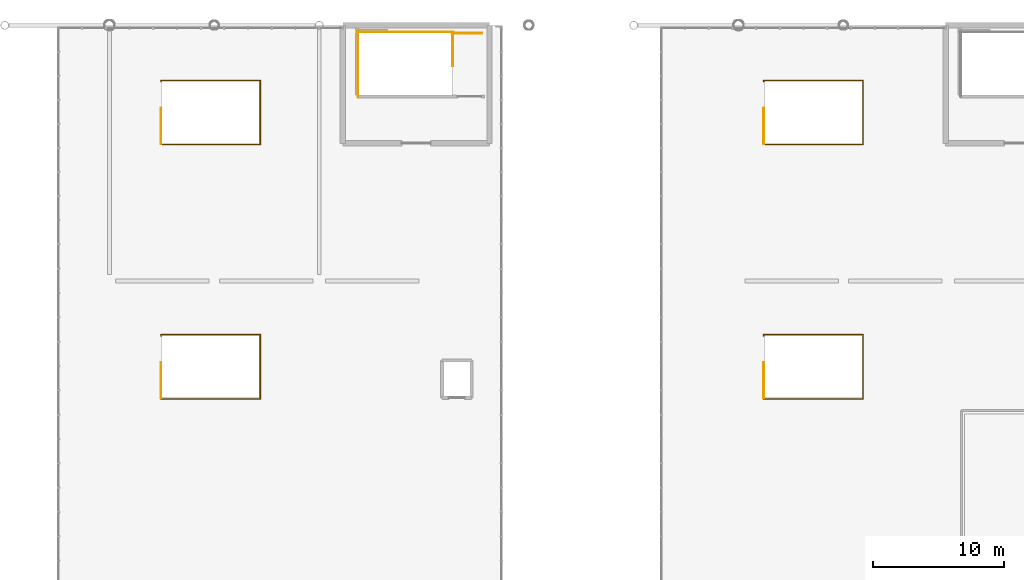
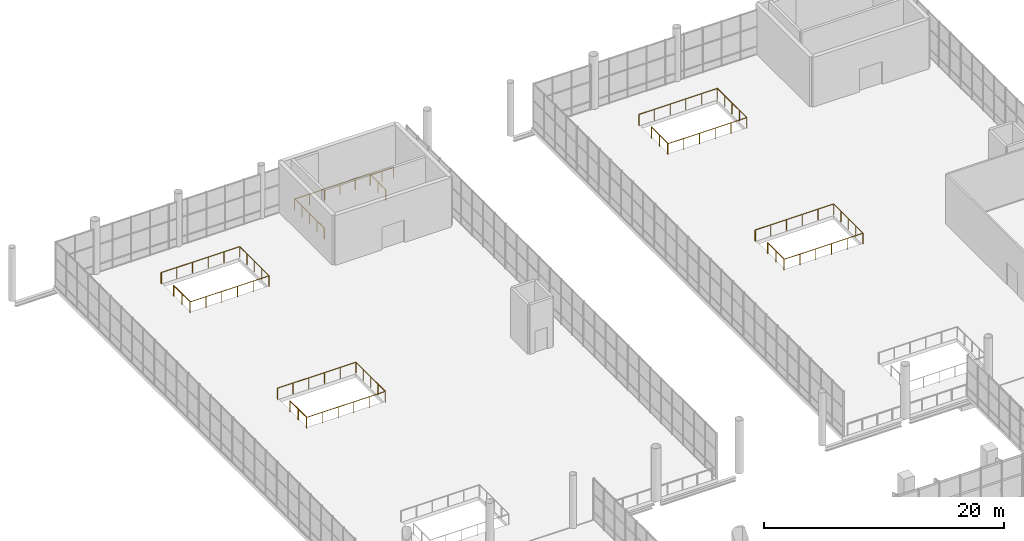
# One storey, part 175 of 176: 12 railings.
"""IFC4 building model written with IfcOpenShell, lengths in metres."""

from ifc_helpers import new_model, si_unit, direction, frame, origin, origin_2d, place, context, subcontext, project, spatial, rectangle, extrude, material, type_object, element, save


model = new_model("IFC4")

# Units and contexts
model_context = context("Model", 3, precision=1e-05, world=origin(), true_north=direction((0.0, 1.0)))
body_context = subcontext(model_context, "Body", "Model", "MODEL_VIEW")
ifc_project = project(units=[si_unit("LENGTHUNIT", "METRE"), si_unit("AREAUNIT", "SQUARE_METRE"), si_unit("VOLUMEUNIT", "CUBIC_METRE"), si_unit("PLANEANGLEUNIT", "RADIAN"), si_unit("MASSUNIT", "GRAM", prefix="KILO")], contexts=[model_context])

# Site, building, storey
site_placement = place(None, origin())
site = spatial("IfcSite", under=ifc_project, at=site_placement, CompositionType="ELEMENT")
building_placement = place(site_placement, origin())
building = spatial("IfcBuilding", under=site, at=building_placement, Name="Khorjan Park Terminus", CompositionType="ELEMENT")
storey_placement = place(building_placement, frame((0.0, 0.0, 6.0)))
storey = spatial("IfcBuildingStorey", under=building, at=storey_placement, Name="L01", CompositionType="ELEMENT", Elevation=6.0)

# Railings
ifc_material_1 = material(Name="Steel S355", Category="steel")
railing_type_1 = type_object("IfcRailingType", Name="GR-112", PredefinedType="GUARDRAIL", material=ifc_material_1)
railing_1_placement = place(storey_placement, frame((82.19, 153.45, 0.0)))
element("IfcRailing", 1, at=railing_1_placement, inside=storey, type_object=railing_type_1, Name="L01 ST-06 top well guard 1", PredefinedType="GUARDRAIL", context=body_context, shape_type="SweptSolid", body=[
    extrude(rectangle(XDim=0.048, YDim=0.048, at=origin_2d()), frame((0.0, 0.0, 1.096), z_axis=(0.0, -1.0, 0.0), x_axis=(1.0, 0.0, 0.0)), (0.0, 0.0, 1.0), 2.56),
    extrude(rectangle(XDim=0.042, YDim=0.042, at=origin_2d()), origin(), (0.0, 0.0, 1.0), 1.072),
    extrude(rectangle(XDim=0.042, YDim=0.042, at=origin_2d()), frame((0.0, -1.28, 0.0)), (0.0, 0.0, 1.0), 1.072),
    extrude(rectangle(XDim=0.042, YDim=0.042, at=origin_2d()), frame((0.0, -2.56, 0.0)), (0.0, 0.0, 1.0), 1.072),
])
railing_2_placement = place(storey_placement, frame((82.24, 153.5, 0.0)))
element("IfcRailing", 2, at=railing_2_placement, inside=storey, type_object=railing_type_1, Name="L01 ST-06 top well guard 2", PredefinedType="GUARDRAIL", context=body_context, shape_type="SweptSolid", body=[
    extrude(rectangle(XDim=0.048, YDim=0.048, at=origin_2d()), frame((0.0, 0.0, 1.096), z_axis=(-1.0, 0.0, 0.0), x_axis=(0.0, -1.0, 0.0)), (0.0, 0.0, 1.0), 7.34),
    extrude(rectangle(XDim=0.042, YDim=0.042, at=origin_2d()), origin(), (0.0, 0.0, 1.0), 1.072),
    extrude(rectangle(XDim=0.042, YDim=0.042, at=origin_2d()), frame((-1.468, 0.0, 0.0)), (0.0, 0.0, 1.0), 1.072),
    extrude(rectangle(XDim=0.042, YDim=0.042, at=origin_2d()), frame((-2.936, 0.0, 0.0)), (0.0, 0.0, 1.0), 1.072),
    extrude(rectangle(XDim=0.042, YDim=0.042, at=origin_2d()), frame((-4.404, 0.0, 0.0)), (0.0, 0.0, 1.0), 1.072),
    extrude(rectangle(XDim=0.042, YDim=0.042, at=origin_2d()), frame((-5.872, 0.0, 0.0)), (0.0, 0.0, 1.0), 1.072),
    extrude(rectangle(XDim=0.042, YDim=0.042, at=origin_2d()), frame((-7.34, 0.0, 0.0)), (0.0, 0.0, 1.0), 1.072),
])
railing_3_placement = place(storey_placement, frame((74.95, 153.55, 0.0)))
element("IfcRailing", 3, at=railing_3_placement, inside=storey, type_object=railing_type_1, Name="L01 ST-06 top well guard 3", PredefinedType="GUARDRAIL", context=body_context, shape_type="SweptSolid", body=[
    extrude(rectangle(XDim=0.048, YDim=0.048, at=origin_2d()), frame((0.0, 0.0, 1.096), z_axis=(0.0, -1.0, 0.0), x_axis=(1.0, 0.0, 0.0)), (0.0, 0.0, 1.0), 4.96),
    extrude(rectangle(XDim=0.042, YDim=0.042, at=origin_2d()), origin(), (0.0, 0.0, 1.0), 1.072),
    extrude(rectangle(XDim=0.042, YDim=0.042, at=origin_2d()), frame((0.0, -1.24, 0.0)), (0.0, 0.0, 1.0), 1.072),
    extrude(rectangle(XDim=0.042, YDim=0.042, at=origin_2d()), frame((0.0, -2.48, 0.0)), (0.0, 0.0, 1.0), 1.072),
    extrude(rectangle(XDim=0.042, YDim=0.042, at=origin_2d()), frame((0.0, -3.72, 0.0)), (0.0, 0.0, 1.0), 1.072),
    extrude(rectangle(XDim=0.042, YDim=0.042, at=origin_2d()), frame((0.0, -4.96, 0.0)), (0.0, 0.0, 1.0), 1.072),
])
railing_4_placement = place(storey_placement, frame((84.4, 153.4, 0.0)))
element("IfcRailing", 4, at=railing_4_placement, inside=storey, type_object=railing_type_1, Name="L01 ST-06 top well guard 4", PredefinedType="GUARDRAIL", context=body_context, shape_type="SweptSolid", body=[
    extrude(rectangle(XDim=0.048, YDim=0.048, at=origin_2d()), frame((0.0, 0.0, 1.096), z_axis=(-1.0, 0.0, 0.0), x_axis=(0.0, -1.0, 0.0)), (0.0, 0.0, 1.0), 2.26),
    extrude(rectangle(XDim=0.042, YDim=0.042, at=origin_2d()), origin(), (0.0, 0.0, 1.0), 1.072),
    extrude(rectangle(XDim=0.042, YDim=0.042, at=origin_2d()), frame((-1.13, 0.0, 0.0)), (0.0, 0.0, 1.0), 1.072),
    extrude(rectangle(XDim=0.042, YDim=0.042, at=origin_2d()), frame((-2.26, 0.0, 0.0)), (0.0, 0.0, 1.0), 1.072),
])
for number, where, name in (
    (5, (59.92, 125.55, 0.0), "Stair PS-03 top-floor well departure guard GR-112"),
    (6, (105.92, 125.55, 0.0), "Stair PS-04 top-floor well departure guard GR-112"),
    (7, (59.92, 144.95, 0.0), "Stair PS-05 top-floor well departure guard GR-112"),
    (8, (105.92, 144.95, 0.0), "Stair PS-06 top-floor well departure guard GR-112"),
):
    element("IfcRailing", number, at=place(storey_placement, frame(where)), inside=storey, type_object=railing_type_1, Name=name, PredefinedType="GUARDRAIL", context=body_context, shape_type="SweptSolid", body=[
        extrude(rectangle(XDim=0.048, YDim=0.048, at=origin_2d()), frame((0.0, 0.0, 1.096), z_axis=(0.0, 1.0, 0.0), x_axis=(-1.0, 0.0, 0.0)), (0.0, 0.0, 1.0), 2.73),
        extrude(rectangle(XDim=0.042, YDim=0.042, at=origin_2d()), origin(), (0.0, 0.0, 1.0), 1.072),
        extrude(rectangle(XDim=0.042, YDim=0.042, at=origin_2d()), frame((0.0, 1.365, 0.0)), (0.0, 0.0, 1.0), 1.072),
        extrude(rectangle(XDim=0.042, YDim=0.042, at=origin_2d()), frame((0.0, 2.73, 0.0)), (0.0, 0.0, 1.0), 1.072),
    ])
ifc_material_2 = material(Name="Anodized Bronze Aluminium & Laminated Glass", Category="aluminium")
railing_type_2 = type_object("IfcRailingType", Name="GR-BAL", PredefinedType="BALUSTRADE", material=ifc_material_2)
railing_5_placement = place(storey_placement, frame((105.915, 147.64, 0.0)))
element("IfcRailing", 9, at=railing_5_placement, inside=storey, type_object=railing_type_2, Name="Perimeter safety guard GB-112 (L01-50)", PredefinedType="BALUSTRADE", context=body_context, shape_type="SweptSolid", body=[
    extrude(rectangle(XDim=0.048, YDim=0.048, at=origin_2d()), frame((0.0, 0.0, 1.096), z_axis=(0.0, -1.0, 0.0), x_axis=(1.0, 0.0, 0.0)), (0.0, 0.0, 1.0), 2.74),
    extrude(rectangle(XDim=0.048, YDim=0.048, at=origin_2d()), frame((0.0, -2.74, 1.096), z_axis=(1.0, 0.0, 0.0), x_axis=(0.0, 1.0, 0.0)), (0.0, 0.0, 1.0), 7.585),
    extrude(rectangle(XDim=0.048, YDim=0.048, at=origin_2d()), frame((7.585, -2.74, 1.096), z_axis=(0.0, 1.0, 0.0), x_axis=(-1.0, 0.0, 0.0)), (0.0, 0.0, 1.0), 4.9),
    extrude(rectangle(XDim=0.048, YDim=0.048, at=origin_2d()), frame((7.585, 2.16, 1.096), z_axis=(-1.0, 0.0, 0.0), x_axis=(0.0, -1.0, 0.0)), (0.0, 0.0, 1.0), 7.585),
    extrude(rectangle(XDim=0.048, YDim=0.048, at=origin_2d()), frame((0.0, 2.16, 1.096), z_axis=(0.0, -1.0, 0.0), x_axis=(1.0, 0.0, 0.0)), (0.0, 0.0, 1.0), 0.1),
    extrude(rectangle(XDim=0.042, YDim=0.042, at=origin_2d()), origin(), (0.0, 0.0, 1.0), 1.072),
    extrude(rectangle(XDim=0.042, YDim=0.042, at=origin_2d()), frame((0.0, -1.37, 0.0)), (0.0, 0.0, 1.0), 1.072),
    extrude(rectangle(XDim=0.042, YDim=0.042, at=origin_2d()), frame((0.0, -2.74, 0.0)), (0.0, 0.0, 1.0), 1.072),
    extrude(rectangle(XDim=0.042, YDim=0.042, at=origin_2d()), frame((1.517, -2.74, 0.0)), (0.0, 0.0, 1.0), 1.072),
    extrude(rectangle(XDim=0.042, YDim=0.042, at=origin_2d()), frame((3.034, -2.74, 0.0)), (0.0, 0.0, 1.0), 1.072),
    extrude(rectangle(XDim=0.042, YDim=0.042, at=origin_2d()), frame((4.551, -2.74, 0.0)), (0.0, 0.0, 1.0), 1.072),
    extrude(rectangle(XDim=0.042, YDim=0.042, at=origin_2d()), frame((6.068, -2.74, 0.0)), (0.0, 0.0, 1.0), 1.072),
    extrude(rectangle(XDim=0.042, YDim=0.042, at=origin_2d()), frame((7.585, -2.74, 0.0)), (0.0, 0.0, 1.0), 1.072),
    extrude(rectangle(XDim=0.042, YDim=0.042, at=origin_2d()), frame((7.585, -1.515, 0.0)), (0.0, 0.0, 1.0), 1.072),
    extrude(rectangle(XDim=0.042, YDim=0.042, at=origin_2d()), frame((7.585, -0.29, 0.0)), (0.0, 0.0, 1.0), 1.072),
    extrude(rectangle(XDim=0.042, YDim=0.042, at=origin_2d()), frame((7.585, 0.935, 0.0)), (0.0, 0.0, 1.0), 1.072),
    extrude(rectangle(XDim=0.042, YDim=0.042, at=origin_2d()), frame((7.585, 2.16, 0.0)), (0.0, 0.0, 1.0), 1.072),
    extrude(rectangle(XDim=0.042, YDim=0.042, at=origin_2d()), frame((6.068, 2.16, 0.0)), (0.0, 0.0, 1.0), 1.072),
    extrude(rectangle(XDim=0.042, YDim=0.042, at=origin_2d()), frame((4.551, 2.16, 0.0)), (0.0, 0.0, 1.0), 1.072),
    extrude(rectangle(XDim=0.042, YDim=0.042, at=origin_2d()), frame((3.034, 2.16, 0.0)), (0.0, 0.0, 1.0), 1.072),
    extrude(rectangle(XDim=0.042, YDim=0.042, at=origin_2d()), frame((1.517, 2.16, 0.0)), (0.0, 0.0, 1.0), 1.072),
    extrude(rectangle(XDim=0.042, YDim=0.042, at=origin_2d()), frame((0.0, 2.16, 0.0)), (0.0, 0.0, 1.0), 1.072),
    extrude(rectangle(XDim=0.042, YDim=0.042, at=origin_2d()), frame((0.0, 2.06, 0.0)), (0.0, 0.0, 1.0), 1.072),
])
railing_6_placement = place(storey_placement, frame((59.915, 128.24, 0.0)))
element("IfcRailing", 10, at=railing_6_placement, inside=storey, type_object=railing_type_2, Name="Perimeter safety guard GB-112 (L01-56)", PredefinedType="BALUSTRADE", context=body_context, shape_type="SweptSolid", body=[
    extrude(rectangle(XDim=0.048, YDim=0.048, at=origin_2d()), frame((0.0, 0.0, 1.096), z_axis=(0.0, -1.0, 0.0), x_axis=(1.0, 0.0, 0.0)), (0.0, 0.0, 1.0), 2.74),
    extrude(rectangle(XDim=0.048, YDim=0.048, at=origin_2d()), frame((0.0, -2.74, 1.096), z_axis=(1.0, 0.0, 0.0), x_axis=(0.0, 1.0, 0.0)), (0.0, 0.0, 1.0), 7.585),
    extrude(rectangle(XDim=0.048, YDim=0.048, at=origin_2d()), frame((7.585, -2.74, 1.096), z_axis=(0.0, 1.0, 0.0), x_axis=(-1.0, 0.0, 0.0)), (0.0, 0.0, 1.0), 4.9),
    extrude(rectangle(XDim=0.048, YDim=0.048, at=origin_2d()), frame((7.585, 2.16, 1.096), z_axis=(-1.0, 0.0, 0.0), x_axis=(0.0, -1.0, 0.0)), (0.0, 0.0, 1.0), 7.585),
    extrude(rectangle(XDim=0.048, YDim=0.048, at=origin_2d()), frame((0.0, 2.16, 1.096), z_axis=(0.0, -1.0, 0.0), x_axis=(1.0, 0.0, 0.0)), (0.0, 0.0, 1.0), 0.1),
    extrude(rectangle(XDim=0.042, YDim=0.042, at=origin_2d()), origin(), (0.0, 0.0, 1.0), 1.072),
    extrude(rectangle(XDim=0.042, YDim=0.042, at=origin_2d()), frame((0.0, -1.37, 0.0)), (0.0, 0.0, 1.0), 1.072),
    extrude(rectangle(XDim=0.042, YDim=0.042, at=origin_2d()), frame((0.0, -2.74, 0.0)), (0.0, 0.0, 1.0), 1.072),
    extrude(rectangle(XDim=0.042, YDim=0.042, at=origin_2d()), frame((1.517, -2.74, 0.0)), (0.0, 0.0, 1.0), 1.072),
    extrude(rectangle(XDim=0.042, YDim=0.042, at=origin_2d()), frame((3.034, -2.74, 0.0)), (0.0, 0.0, 1.0), 1.072),
    extrude(rectangle(XDim=0.042, YDim=0.042, at=origin_2d()), frame((4.551, -2.74, 0.0)), (0.0, 0.0, 1.0), 1.072),
    extrude(rectangle(XDim=0.042, YDim=0.042, at=origin_2d()), frame((6.068, -2.74, 0.0)), (0.0, 0.0, 1.0), 1.072),
    extrude(rectangle(XDim=0.042, YDim=0.042, at=origin_2d()), frame((7.585, -2.74, 0.0)), (0.0, 0.0, 1.0), 1.072),
    extrude(rectangle(XDim=0.042, YDim=0.042, at=origin_2d()), frame((7.585, -1.515, 0.0)), (0.0, 0.0, 1.0), 1.072),
    extrude(rectangle(XDim=0.042, YDim=0.042, at=origin_2d()), frame((7.585, -0.29, 0.0)), (0.0, 0.0, 1.0), 1.072),
    extrude(rectangle(XDim=0.042, YDim=0.042, at=origin_2d()), frame((7.585, 0.935, 0.0)), (0.0, 0.0, 1.0), 1.072),
    extrude(rectangle(XDim=0.042, YDim=0.042, at=origin_2d()), frame((7.585, 2.16, 0.0)), (0.0, 0.0, 1.0), 1.072),
    extrude(rectangle(XDim=0.042, YDim=0.042, at=origin_2d()), frame((6.068, 2.16, 0.0)), (0.0, 0.0, 1.0), 1.072),
    extrude(rectangle(XDim=0.042, YDim=0.042, at=origin_2d()), frame((4.551, 2.16, 0.0)), (0.0, 0.0, 1.0), 1.072),
    extrude(rectangle(XDim=0.042, YDim=0.042, at=origin_2d()), frame((3.034, 2.16, 0.0)), (0.0, 0.0, 1.0), 1.072),
    extrude(rectangle(XDim=0.042, YDim=0.042, at=origin_2d()), frame((1.517, 2.16, 0.0)), (0.0, 0.0, 1.0), 1.072),
    extrude(rectangle(XDim=0.042, YDim=0.042, at=origin_2d()), frame((0.0, 2.16, 0.0)), (0.0, 0.0, 1.0), 1.072),
    extrude(rectangle(XDim=0.042, YDim=0.042, at=origin_2d()), frame((0.0, 2.06, 0.0)), (0.0, 0.0, 1.0), 1.072),
])
railing_type_3 = type_object("IfcRailingType", Name="GR-EXT", PredefinedType="GUARDRAIL", material=ifc_material_1)
railing_7_placement = place(storey_placement, frame((105.915, 128.24, 0.0)))
element("IfcRailing", 11, at=railing_7_placement, inside=storey, type_object=railing_type_3, Name="Perimeter safety guard GR-EXT (L01-49)", PredefinedType="GUARDRAIL", context=body_context, shape_type="SweptSolid", body=[
    extrude(rectangle(XDim=0.048, YDim=0.048, at=origin_2d()), frame((0.0, 0.0, 1.096), z_axis=(0.0, -1.0, 0.0), x_axis=(1.0, 0.0, 0.0)), (0.0, 0.0, 1.0), 2.74),
    extrude(rectangle(XDim=0.048, YDim=0.048, at=origin_2d()), frame((0.0, -2.74, 1.096), z_axis=(1.0, 0.0, 0.0), x_axis=(0.0, 1.0, 0.0)), (0.0, 0.0, 1.0), 7.585),
    extrude(rectangle(XDim=0.048, YDim=0.048, at=origin_2d()), frame((7.585, -2.74, 1.096), z_axis=(0.0, 1.0, 0.0), x_axis=(-1.0, 0.0, 0.0)), (0.0, 0.0, 1.0), 4.9),
    extrude(rectangle(XDim=0.048, YDim=0.048, at=origin_2d()), frame((7.585, 2.16, 1.096), z_axis=(-1.0, 0.0, 0.0), x_axis=(0.0, -1.0, 0.0)), (0.0, 0.0, 1.0), 7.585),
    extrude(rectangle(XDim=0.048, YDim=0.048, at=origin_2d()), frame((0.0, 2.16, 1.096), z_axis=(0.0, -1.0, 0.0), x_axis=(1.0, 0.0, 0.0)), (0.0, 0.0, 1.0), 0.1),
    extrude(rectangle(XDim=0.042, YDim=0.042, at=origin_2d()), origin(), (0.0, 0.0, 1.0), 1.072),
    extrude(rectangle(XDim=0.042, YDim=0.042, at=origin_2d()), frame((0.0, -1.37, 0.0)), (0.0, 0.0, 1.0), 1.072),
    extrude(rectangle(XDim=0.042, YDim=0.042, at=origin_2d()), frame((0.0, -2.74, 0.0)), (0.0, 0.0, 1.0), 1.072),
    extrude(rectangle(XDim=0.042, YDim=0.042, at=origin_2d()), frame((1.517, -2.74, 0.0)), (0.0, 0.0, 1.0), 1.072),
    extrude(rectangle(XDim=0.042, YDim=0.042, at=origin_2d()), frame((3.034, -2.74, 0.0)), (0.0, 0.0, 1.0), 1.072),
    extrude(rectangle(XDim=0.042, YDim=0.042, at=origin_2d()), frame((4.551, -2.74, 0.0)), (0.0, 0.0, 1.0), 1.072),
    extrude(rectangle(XDim=0.042, YDim=0.042, at=origin_2d()), frame((6.068, -2.74, 0.0)), (0.0, 0.0, 1.0), 1.072),
    extrude(rectangle(XDim=0.042, YDim=0.042, at=origin_2d()), frame((7.585, -2.74, 0.0)), (0.0, 0.0, 1.0), 1.072),
    extrude(rectangle(XDim=0.042, YDim=0.042, at=origin_2d()), frame((7.585, -1.515, 0.0)), (0.0, 0.0, 1.0), 1.072),
    extrude(rectangle(XDim=0.042, YDim=0.042, at=origin_2d()), frame((7.585, -0.29, 0.0)), (0.0, 0.0, 1.0), 1.072),
    extrude(rectangle(XDim=0.042, YDim=0.042, at=origin_2d()), frame((7.585, 0.935, 0.0)), (0.0, 0.0, 1.0), 1.072),
    extrude(rectangle(XDim=0.042, YDim=0.042, at=origin_2d()), frame((7.585, 2.16, 0.0)), (0.0, 0.0, 1.0), 1.072),
    extrude(rectangle(XDim=0.042, YDim=0.042, at=origin_2d()), frame((6.068, 2.16, 0.0)), (0.0, 0.0, 1.0), 1.072),
    extrude(rectangle(XDim=0.042, YDim=0.042, at=origin_2d()), frame((4.551, 2.16, 0.0)), (0.0, 0.0, 1.0), 1.072),
    extrude(rectangle(XDim=0.042, YDim=0.042, at=origin_2d()), frame((3.034, 2.16, 0.0)), (0.0, 0.0, 1.0), 1.072),
    extrude(rectangle(XDim=0.042, YDim=0.042, at=origin_2d()), frame((1.517, 2.16, 0.0)), (0.0, 0.0, 1.0), 1.072),
    extrude(rectangle(XDim=0.042, YDim=0.042, at=origin_2d()), frame((0.0, 2.16, 0.0)), (0.0, 0.0, 1.0), 1.072),
    extrude(rectangle(XDim=0.042, YDim=0.042, at=origin_2d()), frame((0.0, 2.06, 0.0)), (0.0, 0.0, 1.0), 1.072),
])
railing_8_placement = place(storey_placement, frame((59.915, 147.64, 0.0)))
element("IfcRailing", 12, at=railing_8_placement, inside=storey, type_object=railing_type_3, Name="Perimeter safety guard GR-EXT (L01-55)", PredefinedType="GUARDRAIL", context=body_context, shape_type="SweptSolid", body=[
    extrude(rectangle(XDim=0.048, YDim=0.048, at=origin_2d()), frame((0.0, 0.0, 1.096), z_axis=(0.0, -1.0, 0.0), x_axis=(1.0, 0.0, 0.0)), (0.0, 0.0, 1.0), 2.74),
    extrude(rectangle(XDim=0.048, YDim=0.048, at=origin_2d()), frame((0.0, -2.74, 1.096), z_axis=(1.0, 0.0, 0.0), x_axis=(0.0, 1.0, 0.0)), (0.0, 0.0, 1.0), 7.585),
    extrude(rectangle(XDim=0.048, YDim=0.048, at=origin_2d()), frame((7.585, -2.74, 1.096), z_axis=(0.0, 1.0, 0.0), x_axis=(-1.0, 0.0, 0.0)), (0.0, 0.0, 1.0), 4.9),
    extrude(rectangle(XDim=0.048, YDim=0.048, at=origin_2d()), frame((7.585, 2.16, 1.096), z_axis=(-1.0, 0.0, 0.0), x_axis=(0.0, -1.0, 0.0)), (0.0, 0.0, 1.0), 7.585),
    extrude(rectangle(XDim=0.048, YDim=0.048, at=origin_2d()), frame((0.0, 2.16, 1.096), z_axis=(0.0, -1.0, 0.0), x_axis=(1.0, 0.0, 0.0)), (0.0, 0.0, 1.0), 0.1),
    extrude(rectangle(XDim=0.042, YDim=0.042, at=origin_2d()), origin(), (0.0, 0.0, 1.0), 1.072),
    extrude(rectangle(XDim=0.042, YDim=0.042, at=origin_2d()), frame((0.0, -1.37, 0.0)), (0.0, 0.0, 1.0), 1.072),
    extrude(rectangle(XDim=0.042, YDim=0.042, at=origin_2d()), frame((0.0, -2.74, 0.0)), (0.0, 0.0, 1.0), 1.072),
    extrude(rectangle(XDim=0.042, YDim=0.042, at=origin_2d()), frame((1.517, -2.74, 0.0)), (0.0, 0.0, 1.0), 1.072),
    extrude(rectangle(XDim=0.042, YDim=0.042, at=origin_2d()), frame((3.034, -2.74, 0.0)), (0.0, 0.0, 1.0), 1.072),
    extrude(rectangle(XDim=0.042, YDim=0.042, at=origin_2d()), frame((4.551, -2.74, 0.0)), (0.0, 0.0, 1.0), 1.072),
    extrude(rectangle(XDim=0.042, YDim=0.042, at=origin_2d()), frame((6.068, -2.74, 0.0)), (0.0, 0.0, 1.0), 1.072),
    extrude(rectangle(XDim=0.042, YDim=0.042, at=origin_2d()), frame((7.585, -2.74, 0.0)), (0.0, 0.0, 1.0), 1.072),
    extrude(rectangle(XDim=0.042, YDim=0.042, at=origin_2d()), frame((7.585, -1.515, 0.0)), (0.0, 0.0, 1.0), 1.072),
    extrude(rectangle(XDim=0.042, YDim=0.042, at=origin_2d()), frame((7.585, -0.29, 0.0)), (0.0, 0.0, 1.0), 1.072),
    extrude(rectangle(XDim=0.042, YDim=0.042, at=origin_2d()), frame((7.585, 0.935, 0.0)), (0.0, 0.0, 1.0), 1.072),
    extrude(rectangle(XDim=0.042, YDim=0.042, at=origin_2d()), frame((7.585, 2.16, 0.0)), (0.0, 0.0, 1.0), 1.072),
    extrude(rectangle(XDim=0.042, YDim=0.042, at=origin_2d()), frame((6.068, 2.16, 0.0)), (0.0, 0.0, 1.0), 1.072),
    extrude(rectangle(XDim=0.042, YDim=0.042, at=origin_2d()), frame((4.551, 2.16, 0.0)), (0.0, 0.0, 1.0), 1.072),
    extrude(rectangle(XDim=0.042, YDim=0.042, at=origin_2d()), frame((3.034, 2.16, 0.0)), (0.0, 0.0, 1.0), 1.072),
    extrude(rectangle(XDim=0.042, YDim=0.042, at=origin_2d()), frame((1.517, 2.16, 0.0)), (0.0, 0.0, 1.0), 1.072),
    extrude(rectangle(XDim=0.042, YDim=0.042, at=origin_2d()), frame((0.0, 2.16, 0.0)), (0.0, 0.0, 1.0), 1.072),
    extrude(rectangle(XDim=0.042, YDim=0.042, at=origin_2d()), frame((0.0, 2.06, 0.0)), (0.0, 0.0, 1.0), 1.072),
])

save(model, "model.ifc")
